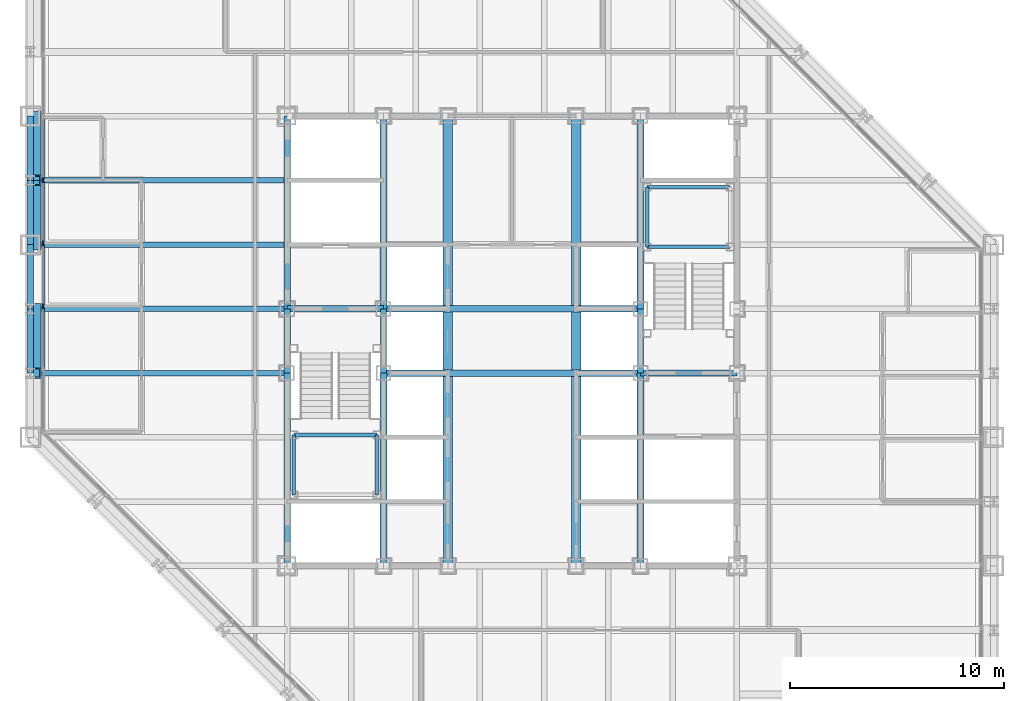
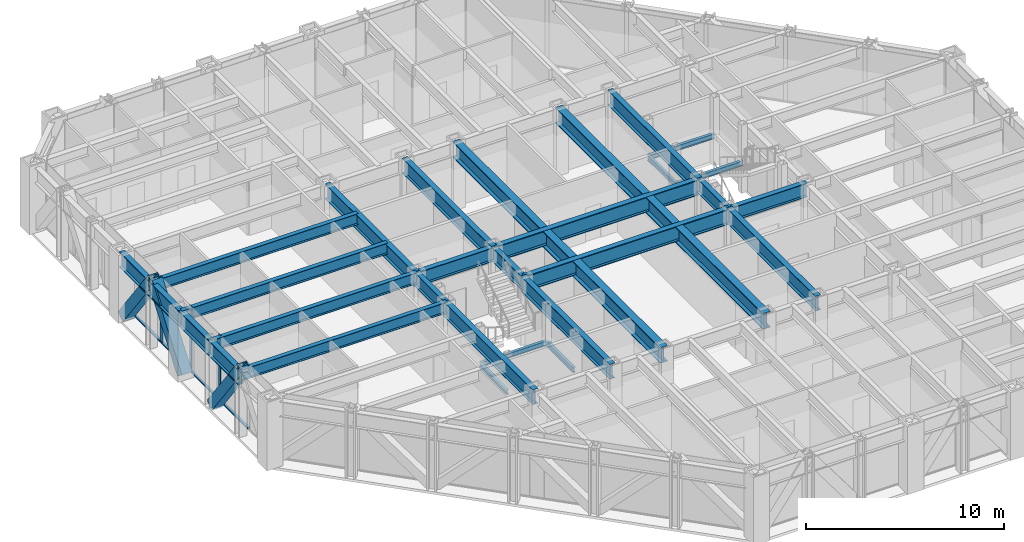
# One storey, part 5 of 16: 33 beams, 10 members, 1 element without a shape of its own.
"""IFC4 building model written with IfcOpenShell, lengths in metres."""

import ifcopenshell
import ifcopenshell.guid

model = None  # the IFC model being written
_history = None  # IfcOwnerHistory: only IFC2X3 demands one
_inside = {}  # id of a spatial element -> (the spatial element, [elements in it])
_under = {}  # id of a project, library or spatial element -> (it, [spatial elements below it])
_declared = {}  # id of a project -> (the project, [libraries it declares])
_typed = {}  # id of a type object -> (the type object, [elements of that type])
_made_of = {}  # id of a material, layer set ... -> (it, [elements and type objects made of it])


def new_model(schema):
    """Start an empty IFC model of exactly this schema.

    Asked for "IFC4X3", IfcOpenShell would pick the latest addendum, in which some entities
    have other attributes; the version numbers below select the first issue.
    IFC2X3 requires an IfcOwnerHistory on every rooted entity: one is made here for all.
    """
    global model, _history
    if schema == "IFC4X3":
        model = ifcopenshell.file(schema_version=(4, 3, 0, 0))
    else:
        model = ifcopenshell.file(schema=schema)
    _inside.clear()
    _under.clear()
    _declared.clear()
    _typed.clear()
    _made_of.clear()
    _history = None
    if model.schema == "IFC2X3":
        org = make("IfcOrganization", Name="unknown")
        user = make(
            "IfcPersonAndOrganization",
            ThePerson=make("IfcPerson", FamilyName="unknown"),
            TheOrganization=org,
        )
        app = make(
            "IfcApplication",
            ApplicationDeveloper=org,
            Version="unknown",
            ApplicationFullName="unknown",
            ApplicationIdentifier="unknown",
        )
        _history = make(
            "IfcOwnerHistory",
            OwningUser=user,
            OwningApplication=app,
            ChangeAction="ADDED",
            CreationDate=0,
        )
    return model


def make(cls, **values):
    """One entity of the class cls with the attributes given. An attribute that is None is left unset."""
    return model.create_entity(
        cls, **{name: value for name, value in values.items() if value is not None}
    )


def rooted(cls, **values):
    """An entity with a GlobalId (a new one), such as an element, a storey or a relation."""
    return make(cls, GlobalId=ifcopenshell.guid.new(), OwnerHistory=_history, **values)


def si_unit(unit_type, name, prefix=None):
    """IfcSIUnit, for example si_unit("LENGTHUNIT", "METRE", prefix="MILLI")."""
    return make("IfcSIUnit", UnitType=unit_type, Prefix=prefix, Name=name)


def assignment(units):
    """IfcUnitAssignment: the units of a project."""
    return None if units is None else make("IfcUnitAssignment", Units=units)


def point(xyz):
    """IfcCartesianPoint."""
    return None if xyz is None else make("IfcCartesianPoint", Coordinates=xyz)


def direction(xyz):
    """IfcDirection."""
    return None if xyz is None else make("IfcDirection", DirectionRatios=xyz)


def frame(location, z_axis=None, x_axis=None):
    """IfcAxis2Placement3D, a coordinate frame: its origin and axes. An axis left out is left unset."""
    return make(
        "IfcAxis2Placement3D",
        Location=point(location),
        Axis=direction(z_axis),
        RefDirection=direction(x_axis),
    )


def frame_2d(location, x_axis=None):
    """IfcAxis2Placement2D, a coordinate frame in the plane: its origin and x axis."""
    return make(
        "IfcAxis2Placement2D", Location=point(location), RefDirection=direction(x_axis)
    )


def origin():
    """The frame at (0, 0, 0) with its axes left unset."""
    return frame((0.0, 0.0, 0.0))


def origin_2d():
    """The frame at (0, 0) in the plane with its x axis left unset."""
    return frame_2d((0.0, 0.0))


def place(relative_to, where):
    """IfcLocalPlacement: puts the frame where relative to a parent placement (None: the world)."""
    return make(
        "IfcLocalPlacement", PlacementRelTo=relative_to, RelativePlacement=where
    )


def context(
    kind, dimensions, precision=None, world=None, true_north=None, identifier=None
):
    """IfcGeometricRepresentationContext, for example the 3D "Model" context."""
    return make(
        "IfcGeometricRepresentationContext",
        ContextIdentifier=identifier,
        ContextType=kind,
        CoordinateSpaceDimension=dimensions,
        Precision=precision,
        WorldCoordinateSystem=world,
        TrueNorth=true_north,
    )


def subcontext(parent, identifier, kind, view, scale=None):
    """IfcGeometricRepresentationSubContext, for example "Body" below "Model"."""
    return make(
        "IfcGeometricRepresentationSubContext",
        ContextIdentifier=identifier,
        ContextType=kind,
        ParentContext=parent,
        TargetScale=scale,
        TargetView=view,
    )


def project(units=None, contexts=None):
    """IfcProject with its units and contexts."""
    return rooted(
        "IfcProject",
        Name="project",
        RepresentationContexts=contexts,
        UnitsInContext=assignment(units),
    )


def spatial(cls, under=None, at=None, **own):
    """A site, building, storey or space (cls), placed at a placement, below another one or the project."""
    s = rooted(cls, ObjectPlacement=at, **own)
    if under is not None:
        _under.setdefault(under.id(), (under, []))[1].append(s)
    return s


def profile(cls, at=None, kind="AREA", **sizes):
    """A parametric profile (cls). Its sizes go by their IFC names, for example OverallWidth=200.0."""
    return make(cls, ProfileType=kind, Position=at, **sizes)


def rectangle(**sizes):
    """IfcRectangleProfileDef."""
    return profile("IfcRectangleProfileDef", **sizes)


def hollow_rectangle(**sizes):
    """IfcRectangleHollowProfileDef."""
    return profile("IfcRectangleHollowProfileDef", **sizes)


def i_section(**sizes):
    """IfcIShapeProfileDef."""
    return profile("IfcIShapeProfileDef", **sizes)


def extrude(swept, where, along, depth):
    """IfcExtrudedAreaSolid: the profile swept, set in the frame where, extruded along a direction by depth."""
    return make(
        "IfcExtrudedAreaSolid",
        SweptArea=swept,
        Position=where,
        ExtrudedDirection=direction(along),
        Depth=depth,
    )


def shape(context_of_items, identifier, shape_type, items):
    """IfcShapeRepresentation: the items that make up one representation, for example the "Body"."""
    return make(
        "IfcShapeRepresentation",
        ContextOfItems=context_of_items,
        RepresentationIdentifier=identifier,
        RepresentationType=shape_type,
        Items=items,
    )


def material(Name=None, Category=None):
    """IfcMaterial."""
    return make("IfcMaterial", Name=Name, Category=Category)


def layer(
    of_material, thickness, ventilated=None, Name=None, Category=None, Priority=None
):
    """IfcMaterialLayer: one layer of a wall or slab, of a material (None: an air gap)."""
    return make(
        "IfcMaterialLayer",
        Material=of_material,
        LayerThickness=thickness,
        IsVentilated=ventilated,
        Name=Name,
        Category=Category,
        Priority=Priority,
    )


def layer_set(layers, Name=None):
    """IfcMaterialLayerSet."""
    return make("IfcMaterialLayerSet", MaterialLayers=layers, LayerSetName=Name)


def material_profile(
    of_material, cross_section, Name=None, Category=None, Priority=None
):
    """IfcMaterialProfile: a cross section and its material."""
    return make(
        "IfcMaterialProfile",
        Name=Name,
        Material=of_material,
        Profile=cross_section,
        Priority=Priority,
        Category=Category,
    )


def profile_set(profiles, Name=None, composite=None):
    """IfcMaterialProfileSet."""
    return make(
        "IfcMaterialProfileSet",
        Name=Name,
        MaterialProfiles=profiles,
        CompositeProfile=composite,
    )


def made_of(thing, what):
    """Note that an element or type object is made of a material, layer set ...; save() writes the relation."""
    if what is not None:
        _made_of.setdefault(what.id(), (what, []))[1].append(thing)
    return thing


def type_object(cls, material=None, **own):
    """A type object (cls), such as IfcWallType, which elements share."""
    return made_of(rooted(cls, **own), material)


def element(
    cls,
    number,
    at=None,
    inside=None,
    cuts=None,
    type_object=None,
    material=None,
    context=None,
    identifier="Body",
    shape_type=None,
    held_by="IfcProductDefinitionShape",
    body=None,
    shapes=None,
    **own,
):
    """One element of the class cls, such as IfcWall. Its Tag is "e" and its number.

    at: its placement. inside: the storey or other place that contains it. cuts: it is an
    opening in that element (IfcRelVoidsElement). A single representation is given by context,
    identifier, shape_type and body (its items); several are given by shapes. held_by: the class
    of the entity that holds the representations. save() writes the other relations.
    """
    e = rooted(cls, Tag="e%d" % number, ObjectPlacement=at, **own)
    if body is not None:
        shapes = [shape(context, identifier, shape_type, body)]
    if shapes is not None:
        e.Representation = make(held_by, Representations=shapes)
    if inside is not None:
        _inside.setdefault(inside.id(), (inside, []))[1].append(e)
    if cuts is not None:
        rooted(
            "IfcRelVoidsElement", RelatingBuildingElement=cuts, RelatedOpeningElement=e
        )
    if type_object is not None:
        _typed.setdefault(type_object.id(), (type_object, []))[1].append(e)
    return made_of(e, material)


def aggregate(whole, parts):
    """IfcRelAggregates: a whole, such as a stair, and the parts it consists of."""
    return rooted("IfcRelAggregates", RelatingObject=whole, RelatedObjects=parts)


def save(model, path):
    """Write the relations noted so far, then the file.

    IfcRelAggregates (storeys below a building ...), IfcRelContainedInSpatialStructure (elements
    in a storey), IfcRelDefinesByType, IfcRelAssociatesMaterial and IfcRelDeclares: one each for
    every whole, place, type object, material and project.
    """
    for whole, parts in _under.values():
        aggregate(whole, parts)
    for where, things in _inside.values():
        rooted(
            "IfcRelContainedInSpatialStructure",
            RelatedElements=things,
            RelatingStructure=where,
        )
    for kind, things in _typed.values():
        rooted("IfcRelDefinesByType", RelatedObjects=things, RelatingType=kind)
    for what, things in _made_of.values():
        rooted("IfcRelAssociatesMaterial", RelatedObjects=things, RelatingMaterial=what)
    for by, libraries in _declared.values():
        rooted("IfcRelDeclares", RelatingContext=by, RelatedDefinitions=libraries)
    model.write(path)


model = new_model("IFC4")

# Units and contexts
model_context = context("Model", 3, precision=1e-05, world=origin(), true_north=direction((0.0, 1.0)))
body_context = subcontext(model_context, "Body", "Model", "MODEL_VIEW")
ifc_project = project(units=[si_unit("LENGTHUNIT", "METRE"), si_unit("AREAUNIT", "SQUARE_METRE"), si_unit("VOLUMEUNIT", "CUBIC_METRE"), si_unit("PLANEANGLEUNIT", "RADIAN"), si_unit("MASSUNIT", "GRAM", prefix="KILO")], contexts=[model_context])

# Site, building, storey
site_placement = place(None, origin())
site = spatial("IfcSite", under=ifc_project, at=site_placement, CompositionType="ELEMENT")
building_placement = place(site_placement, origin())
building = spatial("IfcBuilding", under=site, at=building_placement, Name="Chuquiago Exchange Tower", CompositionType="ELEMENT")
storey_placement = place(building_placement, frame((0.0, 0.0, 111.0)))
storey = spatial("IfcBuildingStorey", under=building, at=storey_placement, Name="L23", CompositionType="ELEMENT", Elevation=111.0)

# Beams
ifc_material_1 = material(Name="Steel ASTM A992", Category="steel")
ifc_material_profile_1 = material_profile(ifc_material_1, i_section(OverallWidth=0.25390625, OverallDepth=0.683349609375, WebThickness=0.012451171875, FlangeThickness=0.018798828125, at=origin_2d()), Name="W27X94")
ifc_profile_set_1 = profile_set([ifc_material_profile_1], Name="Steel ASTM A992")
beam_type_1 = type_object("IfcBeamType", Name="B1 W27X94", PredefinedType="BEAM", material=ifc_profile_set_1)
for number, where, z_axis, x_axis, name in (
    (1, (12.0, 21.0, 3.698486328125), (-1.0, 0.0, 0.0), (0.0, -1.0, 0.0), "FB-L24-infill-12_21--0_21-0"),
    (2, (12.0, 24.0, 3.698486328125), (-1.0, 0.0, 0.0), (0.0, -1.0, 0.0), "FB-L24-infill-12_24--0_24-0"),
    (3, (12.0, 27.0, 3.698486328125), (-1.0, 0.0, 0.0), (0.0, -1.0, 0.0), "FB-L24-infill-12_27--0_27-0"),
    (4, (12.0, 30.0, 3.698486328125), (-1.0, 0.0, 0.0), (0.0, -1.0, 0.0), "FB-L24-infill-12_30--0_30-0"),
):
    element("IfcBeam", number, at=place(storey_placement, frame(where, z_axis=z_axis, x_axis=x_axis)), inside=storey, type_object=beam_type_1, Name=name, PredefinedType="BEAM", context=body_context, shape_type="SweptSolid", body=[
        extrude(i_section(OverallWidth=0.25390625, OverallDepth=0.683349609375, WebThickness=0.012451171875, FlangeThickness=0.018798828125, at=origin_2d()), origin(), (0.0, 0.0, 1.0), 12.0),
    ])
ifc_material_2 = material(Name="Steel ASTM A992", Category="steel")
ifc_material_profile_2 = material_profile(ifc_material_2, i_section(OverallWidth=0.307373046875, OverallDepth=0.927001953125, WebThickness=0.01953125, FlangeThickness=0.031982421875, at=origin_2d()), Name="W36X194")
ifc_profile_set_2 = profile_set([ifc_material_profile_2], Name="Steel ASTM A992")
beam_type_2 = type_object("IfcBeamType", Name="B10 W36X194", PredefinedType="BEAM", material=ifc_profile_set_2)
for number, where, z_axis, x_axis, name in (
    (5, (12.0, 12.0, 3.576416015625), (0.0, 1.0, 0.0), (-1.0, 0.0, 0.0), "CB-L24-12_12-12_21"),
    (6, (12.0, 24.0, 3.576416015625), (0.0, 1.0, 0.0), (-1.0, 0.0, 0.0), "CB-L24-12_24-12_33"),
    (7, (16.5, 12.0, 3.576416015625), (0.0, 1.0, 0.0), (-1.0, 0.0, 0.0), "CB-L24-16.5_12-16.5_21"),
    (8, (16.5, 24.0, 3.576416015625), (0.0, 1.0, 0.0), (-1.0, 0.0, 0.0), "CB-L24-16.5_24-16.5_33"),
    (9, (28.5, 12.0, 3.576416015625), (0.0, 1.0, 0.0), (-1.0, 0.0, 0.0), "CB-L24-28.5_12-28.5_21"),
    (10, (28.5, 24.0, 3.576416015625), (0.0, 1.0, 0.0), (-1.0, 0.0, 0.0), "CB-L24-28.5_24-28.5_33"),
):
    element("IfcBeam", number, at=place(storey_placement, frame(where, z_axis=z_axis, x_axis=x_axis)), inside=storey, type_object=beam_type_2, Name=name, PredefinedType="BEAM", context=body_context, shape_type="SweptSolid", body=[
        extrude(i_section(OverallWidth=0.307373046875, OverallDepth=0.927001953125, WebThickness=0.01953125, FlangeThickness=0.031982421875, at=origin_2d()), origin(), (0.0, 0.0, 1.0), 9.0),
    ])
ifc_material_3 = material(Name="Steel ASTM A992", Category="steel")
ifc_material_profile_3 = material_profile(ifc_material_3, i_section(OverallWidth=0.309814453125, OverallDepth=0.949951171875, WebThickness=0.0244140625, FlangeThickness=0.0439453125, at=origin_2d()), Name="W36X256")
ifc_profile_set_3 = profile_set([ifc_material_profile_3], Name="Steel ASTM A992")
beam_type_3 = type_object("IfcBeamType", Name="B11 W36X256", PredefinedType="BEAM", material=ifc_profile_set_3)
for number, where, z_axis, x_axis, name in (
    (11, (16.5, 21.0, 3.56494140625), (1.0, 0.0, 0.0), (0.0, 1.0, 0.0), "CB-L24-16.5_21-28.5_21"),
    (12, (16.5, 24.0, 3.56494140625), (1.0, 0.0, 0.0), (0.0, 1.0, 0.0), "CB-L24-16.5_24-28.5_24"),
):
    element("IfcBeam", number, at=place(storey_placement, frame(where, z_axis=z_axis, x_axis=x_axis)), inside=storey, type_object=beam_type_3, Name=name, PredefinedType="BEAM", context=body_context, shape_type="SweptSolid", body=[
        extrude(i_section(OverallWidth=0.309814453125, OverallDepth=0.949951171875, WebThickness=0.0244140625, FlangeThickness=0.0439453125, at=origin_2d()), origin(), (0.0, 0.0, 1.0), 12.0),
    ])
ifc_material_4 = material(Name="Steel ASTM A992", Category="steel")
ifc_material_profile_4 = material_profile(ifc_material_4, i_section(OverallWidth=0.4267578125, OverallDepth=0.975341796875, WebThickness=0.031005859375, FlangeThickness=0.055908203125, at=origin_2d()), Name="W36X395")
ifc_profile_set_4 = profile_set([ifc_material_profile_4], Name="Steel ASTM A992")
beam_type_4 = type_object("IfcBeamType", Name="B12 W36X395", PredefinedType="BEAM", material=ifc_profile_set_4)
beam_1_placement = place(storey_placement, frame((19.5, 12.0, 3.55224609375), z_axis=(0.0, 1.0, 0.0), x_axis=(-1.0, 0.0, 0.0)))
element("IfcBeam", 13, at=beam_1_placement, inside=storey, type_object=beam_type_4, Name="CB-L24-19.5_12-19.5_20.8451", PredefinedType="BEAM", context=body_context, shape_type="SweptSolid", body=[
    extrude(i_section(OverallWidth=0.4267578125, OverallDepth=0.975341796875, WebThickness=0.031005859375, FlangeThickness=0.055908203125, at=origin_2d()), origin(), (0.0, 0.0, 1.0), 8.84521484375),
])
beam_2_placement = place(storey_placement, frame((19.5, 21.15478515625, 3.55224609375), z_axis=(0.0, 1.0, 0.0), x_axis=(-1.0, 0.0, 0.0)))
element("IfcBeam", 14, at=beam_2_placement, inside=storey, type_object=beam_type_4, Name="CB-L24-19.5_21.1549-19.5_23.8451", PredefinedType="BEAM", context=body_context, shape_type="SweptSolid", body=[
    extrude(i_section(OverallWidth=0.4267578125, OverallDepth=0.975341796875, WebThickness=0.031005859375, FlangeThickness=0.055908203125, at=origin_2d()), origin(), (0.0, 0.0, 1.0), 2.6904296875),
])
for number, where, z_axis, x_axis, name in (
    (15, (19.5, 24.15478515625, 3.55224609375), (0.0, 1.0, 0.0), (-1.0, 0.0, 0.0), "CB-L24-19.5_24.1549-19.5_33"),
    (16, (25.5, 12.0, 3.55224609375), (0.0, 1.0, 0.0), (-1.0, 0.0, 0.0), "CB-L24-25.5_12-25.5_20.8451"),
):
    element("IfcBeam", number, at=place(storey_placement, frame(where, z_axis=z_axis, x_axis=x_axis)), inside=storey, type_object=beam_type_4, Name=name, PredefinedType="BEAM", context=body_context, shape_type="SweptSolid", body=[
        extrude(i_section(OverallWidth=0.4267578125, OverallDepth=0.975341796875, WebThickness=0.031005859375, FlangeThickness=0.055908203125, at=origin_2d()), origin(), (0.0, 0.0, 1.0), 8.84521484375),
    ])
beam_3_placement = place(storey_placement, frame((25.5, 21.15478515625, 3.55224609375), z_axis=(0.0, 1.0, 0.0), x_axis=(-1.0, 0.0, 0.0)))
element("IfcBeam", 17, at=beam_3_placement, inside=storey, type_object=beam_type_4, Name="CB-L24-25.5_21.1549-25.5_23.8451", PredefinedType="BEAM", context=body_context, shape_type="SweptSolid", body=[
    extrude(i_section(OverallWidth=0.4267578125, OverallDepth=0.975341796875, WebThickness=0.031005859375, FlangeThickness=0.055908203125, at=origin_2d()), origin(), (0.0, 0.0, 1.0), 2.6904296875),
])
beam_4_placement = place(storey_placement, frame((25.5, 24.15478515625, 3.55224609375), z_axis=(0.0, 1.0, 0.0), x_axis=(-1.0, 0.0, 0.0)))
element("IfcBeam", 18, at=beam_4_placement, inside=storey, type_object=beam_type_4, Name="CB-L24-25.5_24.1549-25.5_33", PredefinedType="BEAM", context=body_context, shape_type="SweptSolid", body=[
    extrude(i_section(OverallWidth=0.4267578125, OverallDepth=0.975341796875, WebThickness=0.031005859375, FlangeThickness=0.055908203125, at=origin_2d()), origin(), (0.0, 0.0, 1.0), 8.84521484375),
])
ifc_material_5 = material(Name="Steel ASTM A992", Category="steel")
ifc_material_profile_5 = material_profile(ifc_material_5, i_section(OverallWidth=0.2919921875, OverallDepth=0.8583984375, WebThickness=0.01708984375, FlangeThickness=0.031005859375, at=origin_2d()), Name="W33X169")
ifc_profile_set_5 = profile_set([ifc_material_profile_5], Name="Steel ASTM A992")
beam_type_5 = type_object("IfcBeamType", Name="B3 W33X169", PredefinedType="BEAM", material=ifc_profile_set_5)
for number, where, z_axis, x_axis, name in (
    (19, (12.0, 21.0, 3.610595703125), (0.0, 1.0, 0.0), (-1.0, 0.0, 0.0), "CB-L24-12_21-12_24"),
    (20, (16.5, 21.0, 3.610595703125), (0.0, 1.0, 0.0), (-1.0, 0.0, 0.0), "CB-L24-16.5_21-16.5_24"),
    (21, (28.5, 21.0, 3.610595703125), (0.0, 1.0, 0.0), (-1.0, 0.0, 0.0), "CB-L24-28.5_21-28.5_24"),
):
    element("IfcBeam", number, at=place(storey_placement, frame(where, z_axis=z_axis, x_axis=x_axis)), inside=storey, type_object=beam_type_5, Name=name, PredefinedType="BEAM", context=body_context, shape_type="SweptSolid", body=[
        extrude(i_section(OverallWidth=0.2919921875, OverallDepth=0.8583984375, WebThickness=0.01708984375, FlangeThickness=0.031005859375, at=origin_2d()), origin(), (0.0, 0.0, 1.0), 3.0),
    ])
for number, where, z_axis, x_axis, name in (
    (22, (28.5, 21.0, 3.610595703125), (1.0, 0.0, 0.0), (0.0, 1.0, 0.0), "CB-L24-28.5_21-33_21"),
    (23, (12.0, 24.0, 3.610595703125), (1.0, 0.0, 0.0), (0.0, 1.0, 0.0), "CB-L24-12_24-16.5_24"),
):
    element("IfcBeam", number, at=place(storey_placement, frame(where, z_axis=z_axis, x_axis=x_axis)), inside=storey, type_object=beam_type_5, Name=name, PredefinedType="BEAM", context=body_context, shape_type="SweptSolid", body=[
        extrude(i_section(OverallWidth=0.2919921875, OverallDepth=0.8583984375, WebThickness=0.01708984375, FlangeThickness=0.031005859375, at=origin_2d()), origin(), (0.0, 0.0, 1.0), 4.5),
    ])

# Curtain wall, members
ifc_material_6 = material(Name="Aluminium curtain wall system", Category="aluminium")
ifc_layer = layer(ifc_material_6, 0.22509765625)
ifc_layer_set = layer_set([ifc_layer], Name="CW2 office curtain wall")
curtain_wall_type = type_object("IfcCurtainWallType", Name="CW2 office curtain wall", PredefinedType="NOTDEFINED", material=ifc_layer_set)
curtain_wall_placement = place(storey_placement, origin())
curtain_wall = element("IfcCurtainWall", 24, at=curtain_wall_placement, inside=storey, type_object=curtain_wall_type, Name="CW2 curtain wall L23", PredefinedType="NOTDEFINED")
ifc_material_7 = material(Name="Aluminium mullion, pale anodised", Category="aluminium")
ifc_material_profile_6 = material_profile(ifc_material_7, rectangle(XDim=0.06494140625, YDim=0.22509765625, at=origin_2d()), Name="AL 65x225")
ifc_profile_set_6 = profile_set([ifc_material_profile_6], Name="Aluminium mullion, pale anodised")
member_type_1 = type_object("IfcMemberType", Name="CW2-M mullion 65x225", PredefinedType="MULLION", material=ifc_profile_set_6)
member_1_placement = place(storey_placement, frame((0.60009765625, 30.0, 0.0), z_axis=(0.0, 0.0, 1.0), x_axis=(1.0, 0.0, 0.0)))
member_1 = element("IfcMember", 25, at=member_1_placement, type_object=member_type_1, Name="CW2 mullion 5", PredefinedType="MULLION", context=body_context, shape_type="SweptSolid", body=[
    extrude(rectangle(XDim=0.06494140625, YDim=0.22509765625, at=origin_2d()), origin(), (0.0, 0.0, 1.0), 4.0400390625),
])
member_2_placement = place(storey_placement, frame((0.60009765625, 27.06201171875, 0.0), z_axis=(0.0, 0.0, 1.0), x_axis=(1.0, 0.0, 0.0)))
member_2 = element("IfcMember", 26, at=member_2_placement, type_object=member_type_1, Name="CW2 mullion 6", PredefinedType="MULLION", context=body_context, shape_type="SweptSolid", body=[
    extrude(rectangle(XDim=0.06494140625, YDim=0.22509765625, at=origin_2d()), origin(), (0.0, 0.0, 1.0), 4.0400390625),
])
member_3_placement = place(storey_placement, frame((0.60009765625, 24.124267578125, 0.0), z_axis=(0.0, 0.0, 1.0), x_axis=(1.0, 0.0, 0.0)))
member_3 = element("IfcMember", 27, at=member_3_placement, type_object=member_type_1, Name="CW2 mullion 7", PredefinedType="MULLION", context=body_context, shape_type="SweptSolid", body=[
    extrude(rectangle(XDim=0.06494140625, YDim=0.22509765625, at=origin_2d()), origin(), (0.0, 0.0, 1.0), 4.0400390625),
])
ifc_material_8 = material(Name="Aluminium transom, pale anodised", Category="aluminium")
ifc_material_profile_7 = material_profile(ifc_material_8, rectangle(XDim=0.139892578125, YDim=0.06494140625, at=origin_2d()), Name="AL 140x65")
ifc_profile_set_7 = profile_set([ifc_material_profile_7], Name="Aluminium transom, pale anodised")
member_type_2 = type_object("IfcMemberType", Name="CW2-T transom 65x140", PredefinedType="MULLION", material=ifc_profile_set_7)
member_4_placement = place(storey_placement, frame((0.60009765625, 32.9052734375, 0.032470703125), z_axis=(0.0, -1.0, 0.0), x_axis=(1.0, 0.0, 0.0)))
member_4 = element("IfcMember", 28, at=member_4_placement, type_object=member_type_2, Name="CW2 transom 4.1", PredefinedType="MULLION", context=body_context, shape_type="SweptSolid", body=[
    extrude(rectangle(XDim=0.139892578125, YDim=0.06494140625, at=origin_2d()), origin(), (0.0, 0.0, 1.0), 2.872802734375),
])
member_5_placement = place(storey_placement, frame((0.60009765625, 29.967529296875, 0.032470703125), z_axis=(0.0, -1.0, 0.0), x_axis=(1.0, 0.0, 0.0)))
member_5 = element("IfcMember", 29, at=member_5_placement, type_object=member_type_2, Name="CW2 transom 5.1", PredefinedType="MULLION", context=body_context, shape_type="SweptSolid", body=[
    extrude(rectangle(XDim=0.139892578125, YDim=0.06494140625, at=origin_2d()), origin(), (0.0, 0.0, 1.0), 2.872802734375),
])
member_6_placement = place(storey_placement, frame((0.60009765625, 27.029541015625, 0.032470703125), z_axis=(0.0, -1.0, 0.0), x_axis=(1.0, 0.0, 0.0)))
member_6 = element("IfcMember", 30, at=member_6_placement, type_object=member_type_2, Name="CW2 transom 6.1", PredefinedType="MULLION", context=body_context, shape_type="SweptSolid", body=[
    extrude(rectangle(XDim=0.139892578125, YDim=0.06494140625, at=origin_2d()), origin(), (0.0, 0.0, 1.0), 2.872802734375),
])
member_7_placement = place(storey_placement, frame((0.60009765625, 24.091796875, 0.032470703125), z_axis=(0.0, -1.0, 0.0), x_axis=(1.0, 0.0, 0.0)))
member_7 = element("IfcMember", 31, at=member_7_placement, type_object=member_type_2, Name="CW2 transom 7.1", PredefinedType="MULLION", context=body_context, shape_type="SweptSolid", body=[
    extrude(rectangle(XDim=0.139892578125, YDim=0.06494140625, at=origin_2d()), origin(), (0.0, 0.0, 1.0), 2.872802734375),
])
aggregate(curtain_wall, [member_1, member_2, member_3, member_4, member_5, member_6, member_7])

# Beams
ifc_material_9 = material(Name="Steel ASTM A992", Category="steel")
ifc_material_profile_8 = material_profile(ifc_material_9, i_section(OverallWidth=0.164794921875, OverallDepth=0.309814453125, WebThickness=0.005859375, FlangeThickness=0.009765625, at=origin_2d()), Name="W12X26")
ifc_profile_set_8 = profile_set([ifc_material_profile_8], Name="Steel ASTM A992")
beam_type_6 = type_object("IfcBeamType", Name="LS1 W12X26", PredefinedType="BEAM", material=ifc_profile_set_8)
for number, where, z_axis, x_axis, name in (
    (32, (12.31005859375, 15.31005859375, 1.7451171875), (0.0, 1.0, 0.0), (-1.0, 0.0, 0.0), "Stair ST1 L23 landing 1 stringer"),
    (33, (16.18994140625, 15.31005859375, 1.7451171875), (0.0, 1.0, 0.0), (-1.0, 0.0, 0.0), "Stair ST1 L23 landing 1 stringer"),
    (34, (28.81005859375, 26.889892578125, 1.7451171875), (0.0, 1.0, 0.0), (-1.0, 0.0, 0.0), "Stair ST2 L23 landing 1 stringer"),
):
    element("IfcBeam", number, at=place(storey_placement, frame(where, z_axis=z_axis, x_axis=x_axis)), inside=storey, type_object=beam_type_6, Name=name, PredefinedType="BEAM", context=body_context, shape_type="SweptSolid", body=[
        extrude(i_section(OverallWidth=0.164794921875, OverallDepth=0.309814453125, WebThickness=0.005859375, FlangeThickness=0.009765625, at=origin_2d()), origin(), (0.0, 0.0, 1.0), 2.800048828125),
    ])
ifc_material_10 = material(Name="Steel ASTM A992", Category="steel")
ifc_material_profile_9 = material_profile(ifc_material_10, i_section(OverallWidth=0.164794921875, OverallDepth=0.309814453125, WebThickness=0.005859375, FlangeThickness=0.009765625, at=origin_2d()), Name="W12X26")
ifc_profile_set_9 = profile_set([ifc_material_profile_9], Name="Steel ASTM A992")
beam_type_7 = type_object("IfcBeamType", Name="LT1 W12X26", PredefinedType="BEAM", material=ifc_profile_set_9)
for number, where, z_axis, x_axis, name in (
    (35, (12.31005859375, 18.110107421875, 1.7451171875), (1.0, 0.0, 0.0), (0.0, 1.0, 0.0), "Stair ST1 L23 landing 1 trimmer"),
    (36, (28.81005859375, 29.68994140625, 1.7451171875), (1.0, 0.0, 0.0), (0.0, 1.0, 0.0), "Stair ST2 L23 landing 1 trimmer"),
    (37, (28.81005859375, 26.889892578125, 1.7451171875), (1.0, 0.0, 0.0), (0.0, 1.0, 0.0), "Stair ST2 L23 landing 1 trimmer"),
):
    element("IfcBeam", number, at=place(storey_placement, frame(where, z_axis=z_axis, x_axis=x_axis)), inside=storey, type_object=beam_type_7, Name=name, PredefinedType="BEAM", context=body_context, shape_type="SweptSolid", body=[
        extrude(i_section(OverallWidth=0.164794921875, OverallDepth=0.309814453125, WebThickness=0.005859375, FlangeThickness=0.009765625, at=origin_2d()), origin(), (0.0, 0.0, 1.0), 3.8798828125),
    ])

# Members
ifc_material_11 = material(Name="Steel ASTM A572 Grade 50", Category="steel")
ifc_material_profile_10 = material_profile(ifc_material_11, hollow_rectangle(XDim=0.60009765625, YDim=0.60009765625, WallThickness=0.06005859375, at=origin_2d()), Name="BOX600X600X60")
ifc_profile_set_10 = profile_set([ifc_material_profile_10], Name="Steel ASTM A572 Grade 50")
member_type_3 = type_object("IfcMemberType", Name="MB2 BOX600X600X60", PredefinedType="BRACE", material=ifc_profile_set_10)
for number, where, z_axis, x_axis, name in (
    (38, (0.205078125, 33.0, 0.0), (0.0, -0.596173923302, 0.802855312728), (1.0, 0.0, 0.0), "Mega diagonal L23 W face"),
    (39, (0.205078125, 27.0, 0.0), (0.0, 0.596173923302, 0.802855312728), (-1.0, 0.0, 0.0), "Mega diagonal L23 W face"),
    (40, (0.205078125, 24.0, 0.0), (0.0, -0.596173923302, 0.802855312728), (1.0, 0.0, 0.0), "Mega diagonal L23 W face"),
):
    element("IfcMember", number, at=place(storey_placement, frame(where, z_axis=z_axis, x_axis=x_axis)), inside=storey, type_object=member_type_3, Name=name, PredefinedType="BRACE", context=body_context, shape_type="SweptSolid", body=[
        extrude(hollow_rectangle(XDim=0.60009765625, YDim=0.60009765625, WallThickness=0.06005859375, at=origin_2d()), origin(), (0.0, 0.0, 1.0), 5.031982421875),
    ])

# Beams
ifc_material_12 = material(Name="Steel ASTM A992", Category="steel")
ifc_material_profile_11 = material_profile(ifc_material_12, i_section(OverallWidth=0.309814453125, OverallDepth=0.949951171875, WebThickness=0.0244140625, FlangeThickness=0.0439453125, at=origin_2d()), Name="W36X256")
ifc_profile_set_11 = profile_set([ifc_material_profile_11], Name="Steel ASTM A992")
beam_type_8 = type_object("IfcBeamType", Name="SP2 W36X256", PredefinedType="SPANDREL", material=ifc_profile_set_11)
for number, where, z_axis, x_axis, name in (
    (41, (0.0, 33.0, 3.56494140625), (0.0, -1.0, 0.0), (1.0, 0.0, 0.0), "SPB-L24-0_33-0_30"),
    (42, (0.0, 30.0, 3.56494140625), (0.0, -1.0, 0.0), (1.0, 0.0, 0.0), "SPB-L24-0_30-0_27"),
    (43, (0.0, 27.0, 3.56494140625), (0.0, -1.0, 0.0), (1.0, 0.0, 0.0), "SPB-L24-0_27-0_24"),
    (44, (0.0, 24.0, 3.56494140625), (0.0, -1.0, 0.0), (1.0, 0.0, 0.0), "SPB-L24-0_24-0_21"),
):
    element("IfcBeam", number, at=place(storey_placement, frame(where, z_axis=z_axis, x_axis=x_axis)), inside=storey, type_object=beam_type_8, Name=name, PredefinedType="SPANDREL", context=body_context, shape_type="SweptSolid", body=[
        extrude(i_section(OverallWidth=0.309814453125, OverallDepth=0.949951171875, WebThickness=0.0244140625, FlangeThickness=0.0439453125, at=origin_2d()), origin(), (0.0, 0.0, 1.0), 3.0),
    ])

save(model, "model.ifc")
